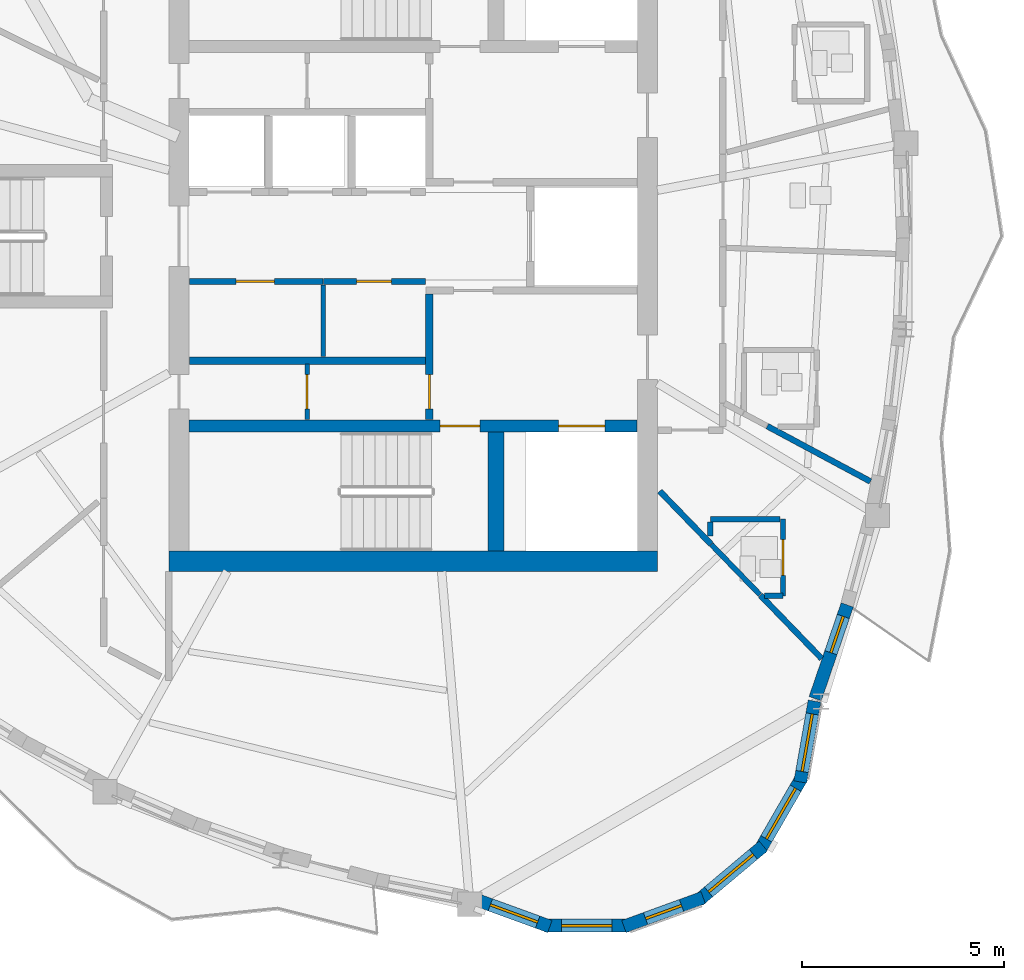
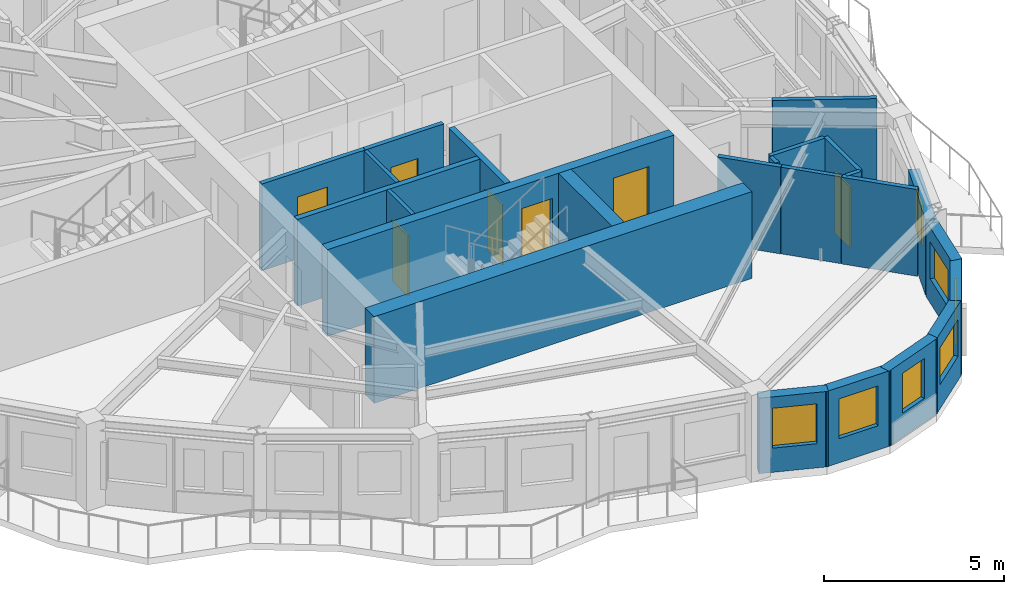
# One storey, part 6 of 14: 24 walls, 7 doors, 7 windows, 14 openings.
"""IFC4 building model written with IfcOpenShell, lengths in metres."""

from ifc_helpers import new_model, si_unit, direction, frame, frame_2d, origin, place, context, subcontext, project, spatial, rectangle, extrude, source, transform, mapped, material, layer, layer_set, type_object, element, fill, save


model = new_model("IFC4")

# Units and contexts
model_context = context("Model", 3, precision=1e-05, world=origin(), true_north=direction((0.0, 1.0)))
body_context = subcontext(model_context, "Body", "Model", "MODEL_VIEW")
ifc_project = project(units=[si_unit("LENGTHUNIT", "METRE"), si_unit("AREAUNIT", "SQUARE_METRE"), si_unit("VOLUMEUNIT", "CUBIC_METRE"), si_unit("PLANEANGLEUNIT", "RADIAN"), si_unit("MASSUNIT", "GRAM", prefix="KILO")], contexts=[model_context])

# Site, building, storey
site_placement = place(None, origin())
site = spatial("IfcSite", under=ifc_project, at=site_placement, CompositionType="ELEMENT")
building_placement = place(site_placement, origin())
building = spatial("IfcBuilding", under=site, at=building_placement, Name="Qafzar Sky-Pleat Residences", CompositionType="ELEMENT")
storey_placement = place(building_placement, frame((0.0, 0.0, 205.199951171875)))
storey = spatial("IfcBuildingStorey", under=building, at=storey_placement, Name="L61", CompositionType="ELEMENT", Elevation=205.199951171875)

# Wall, opening, door
ifc_material_1 = material(Name="Concrete blockwork partition", Category="masonry")
ifc_layer_1 = layer(ifc_material_1, 0.179931640625)
ifc_layer_set_1 = layer_set([ifc_layer_1], Name="Concrete blockwork partition")
wall_type_1 = type_object("IfcWallType", Name="PART-SHAFT-180", PredefinedType="PARTITIONING", material=ifc_layer_set_1)
wall_1_placement = place(storey_placement, frame((30.75, 21.4599609375, 0.0), z_axis=(0.0, 0.0, 1.0), x_axis=(0.0, 1.0, 0.0)))
wall_1 = element("IfcWall", 1, at=wall_1_placement, inside=storey, type_object=wall_type_1, Name="L61 Partition Wall PART-L61-FFL1-W", PredefinedType="PARTITIONING", context=body_context, shape_type="SweptSolid", body=[
    extrude(rectangle(XDim=3.110107421875, YDim=0.179931640625, at=frame_2d((1.55517578125, 0.0))), origin(), (0.0, 0.0, 1.0), 2.93505859375),
])
opening_1_placement = place(wall_1_placement, frame((0.260009765625, 0.0, 0.0)))
opening_1 = element("IfcOpeningElement", 2, at=opening_1_placement, cuts=wall_1, Name="Opening ID-09", PredefinedType="OPENING", context=body_context, shape_type="SweptSolid", body=[
    extrude(rectangle(XDim=0.860107421875, YDim=2.050048828125, at=frame_2d((0.43017578125, 1.02490234375))), frame((0.0, 0.10009765625, 0.0), z_axis=(0.0, -1.0, 0.0), x_axis=(1.0, 0.0, 0.0)), (0.0, 0.0, 1.0), 0.199951171875),
])
ifc_material_2 = material(Name="Timber-faced fire door", Category="wood")
door_type_1 = type_object("IfcDoorType", Name="DR-SVC-860", OperationType="NOTDEFINED", PredefinedType="DOOR", material=ifc_material_2)
shared_shape_1 = source(origin(), body_context, "Body", "SweptSolid", [
    extrude(rectangle(XDim=0.860107421875, YDim=2.050048828125, at=frame_2d((0.43017578125, 1.02490234375))), frame((0.0, 0.02490234375, 0.0), z_axis=(0.0, -1.0, 0.0), x_axis=(1.0, 0.0, 0.0)), (0.0, 0.0, 1.0), 0.050048828125),
])
door_1_placement = place(opening_1_placement, origin())
door_1 = element("IfcDoor", 3, at=door_1_placement, inside=storey, type_object=door_type_1, Name="L61 South Core Cupboard Door", OperationType="SINGLE_SWING_LEFT", OverallHeight=2.050048828125, OverallWidth=0.860107421875, PredefinedType="DOOR", context=body_context, shape_type="MappedRepresentation", body=[
    mapped(shared_shape_1, transform((0.0, 0.0, 0.0), x_axis=(1.0, 0.0, 0.0), y_axis=(0.0, 1.0, 0.0), z_axis=(0.0, 0.0, 1.0), scale=1.0)),
])
fill(opening_1, door_1)

# Walls
wall_2_placement = place(storey_placement, frame((24.81005859375, 22.919921875, 0.0), z_axis=(0.0, 0.0, 1.0), x_axis=(1.0, 0.0, 0.0)))
element("IfcWall", 4, at=wall_2_placement, inside=storey, type_object=wall_type_1, Name="L61 Partition Wall PART-L61-P13-S", PredefinedType="PARTITIONING", context=body_context, shape_type="SweptSolid", body=[
    extrude(rectangle(XDim=5.83984375, YDim=0.179931640625, at=frame_2d((2.919921875, 0.0))), origin(), (0.0, 0.0, 1.0), 2.93505859375),
])
ifc_material_3 = material(Name="Gypsum plasterboard partition", Category="gypsum")
ifc_layer_2 = layer(ifc_material_3, 0.114990234375)
ifc_layer_set_2 = layer_set([ifc_layer_2], Name="Gypsum plasterboard partition")
wall_type_2 = type_object("IfcWallType", Name="PART-SVC-115", PredefinedType="PARTITIONING", material=ifc_layer_set_2)
wall_3_placement = place(storey_placement, frame((28.125, 23.02001953125, 0.0), z_axis=(0.0, 0.0, 1.0), x_axis=(0.0, 1.0, 0.0)))
element("IfcWall", 5, at=wall_3_placement, inside=storey, type_object=wall_type_2, Name="L61 Partition Wall PART-L61-RECLAIM-DIV", PredefinedType="PARTITIONING", context=body_context, shape_type="SweptSolid", body=[
    extrude(rectangle(XDim=1.77001953125, YDim=0.114990234375, at=frame_2d((0.885009765625, 0.0))), origin(), (0.0, 0.0, 1.0), 2.93505859375),
])

# Wall, opening, door
wall_4_placement = place(storey_placement, frame((27.72509765625, 21.4599609375, 0.0), z_axis=(0.0, 0.0, 1.0), x_axis=(0.0, 1.0, 0.0)))
wall_4 = element("IfcWall", 6, at=wall_4_placement, inside=storey, type_object=wall_type_2, Name="L61 Partition Wall PART-L61-KB-SW", PredefinedType="PARTITIONING", context=body_context, shape_type="SweptSolid", body=[
    extrude(rectangle(XDim=1.380126953125, YDim=0.114990234375, at=frame_2d((0.68994140625, 0.0))), origin(), (0.0, 0.0, 1.0), 2.93505859375),
])
opening_2_placement = place(wall_4_placement, frame((0.260009765625, 0.0, 0.0)))
opening_2 = element("IfcOpeningElement", 7, at=opening_2_placement, cuts=wall_4, Name="Opening ID-09", PredefinedType="OPENING", context=body_context, shape_type="SweptSolid", body=[
    extrude(rectangle(XDim=0.860107421875, YDim=2.050048828125, at=frame_2d((0.43017578125, 1.02490234375))), frame((0.0, 0.0673828125, 0.0), z_axis=(0.0, -1.0, 0.0), x_axis=(1.0, 0.0, 0.0)), (0.0, 0.0, 1.0), 0.135009765625),
])
door_2_placement = place(opening_2_placement, origin())
door_2 = element("IfcDoor", 8, at=door_2_placement, inside=storey, type_object=door_type_1, Name="L61 BMS Metering Cupboard Door", OperationType="SINGLE_SWING_LEFT", OverallHeight=2.050048828125, OverallWidth=0.860107421875, PredefinedType="DOOR", context=body_context, shape_type="MappedRepresentation", body=[
    mapped(shared_shape_1, transform((0.0, 0.0, 0.0), x_axis=(1.0, 0.0, 0.0), y_axis=(0.0, 1.0, 0.0), z_axis=(0.0, 0.0, 1.0), scale=1.0)),
])
fill(opening_2, door_2)

ifc_material_4 = material(Name="Acoustic gypsum plasterboard partition", Category="gypsum")
ifc_layer_3 = layer(ifc_material_4, 0.14501953125)
ifc_layer_set_3 = layer_set([ifc_layer_3], Name="Acoustic gypsum plasterboard partition")
wall_type_3 = type_object("IfcWallType", Name="PART-UNIT-145", PredefinedType="PARTITIONING", material=ifc_layer_set_3)
wall_5_placement = place(storey_placement, frame((24.81005859375, 24.8798828125, 0.0), z_axis=(0.0, 0.0, 1.0), x_axis=(1.0, 0.0, 0.0)))
wall_5 = element("IfcWall", 9, at=wall_5_placement, inside=storey, type_object=wall_type_3, Name="L61 Partition Wall PART-L61-RECLAIM-N1", PredefinedType="PARTITIONING", context=body_context, shape_type="SweptSolid", body=[
    extrude(rectangle(XDim=3.31005859375, YDim=0.14501953125, at=frame_2d((1.655029296875, 0.0))), origin(), (0.0, 0.0, 1.0), 2.93505859375),
])
opening_3_placement = place(wall_5_placement, frame((1.14990234375, 0.0, 0.0)))
opening_3 = element("IfcOpeningElement", 10, at=opening_3_placement, cuts=wall_5, Name="Opening ID-06", PredefinedType="OPENING", context=body_context, shape_type="SweptSolid", body=[
    extrude(rectangle(XDim=0.9599609375, YDim=2.10009765625, at=frame_2d((0.47998046875, 1.050048828125))), frame((0.0, 0.08251953125, 0.0), z_axis=(0.0, -1.0, 0.0), x_axis=(1.0, 0.0, 0.0)), (0.0, 0.0, 1.0), 0.1650390625),
])
door_type_2 = type_object("IfcDoorType", Name="DR-STD-960", OperationType="NOTDEFINED", PredefinedType="DOOR", material=ifc_material_2)
shared_shape_2 = source(origin(), body_context, "Body", "SweptSolid", [
    extrude(rectangle(XDim=0.9599609375, YDim=2.10009765625, at=frame_2d((0.47998046875, 1.050048828125))), frame((0.0, 0.02490234375, 0.0), z_axis=(0.0, -1.0, 0.0), x_axis=(1.0, 0.0, 0.0)), (0.0, 0.0, 1.0), 0.050048828125),
])
door_3_placement = place(opening_3_placement, origin())
door_3 = element("IfcDoor", 11, at=door_3_placement, inside=storey, type_object=door_type_2, Name="L61 Reclaimed Quiet Study Room Door", OperationType="SINGLE_SWING_LEFT", OverallHeight=2.10009765625, OverallWidth=0.9599609375, PredefinedType="DOOR", context=body_context, shape_type="MappedRepresentation", body=[
    mapped(shared_shape_2, transform((0.0, 0.0, 0.0), x_axis=(1.0, 0.0, 0.0), y_axis=(0.0, 1.0, 0.0), z_axis=(0.0, 0.0, 1.0), scale=1.0)),
])
fill(opening_3, door_3)

wall_6_placement = place(storey_placement, frame((28.1298828125, 24.8798828125, 0.0), z_axis=(0.0, 0.0, 1.0), x_axis=(1.0, 0.0, 0.0)))
wall_6 = element("IfcWall", 12, at=wall_6_placement, inside=storey, type_object=wall_type_3, Name="L61 Partition Wall PART-L61-RECLAIM-N2", PredefinedType="PARTITIONING", context=body_context, shape_type="SweptSolid", body=[
    extrude(rectangle(XDim=2.52001953125, YDim=0.14501953125, at=frame_2d((1.260009765625, 0.0))), origin(), (0.0, 0.0, 1.0), 2.93505859375),
])
opening_4_placement = place(wall_6_placement, frame((0.820068359375, 0.0, 0.0)))
opening_4 = element("IfcOpeningElement", 13, at=opening_4_placement, cuts=wall_6, Name="Opening ID-09", PredefinedType="OPENING", context=body_context, shape_type="SweptSolid", body=[
    extrude(rectangle(XDim=0.860107421875, YDim=2.050048828125, at=frame_2d((0.43017578125, 1.02490234375))), frame((0.0, 0.08251953125, 0.0), z_axis=(0.0, -1.0, 0.0), x_axis=(1.0, 0.0, 0.0)), (0.0, 0.0, 1.0), 0.1650390625),
])
door_4_placement = place(opening_4_placement, origin())
door_4 = element("IfcDoor", 14, at=door_4_placement, inside=storey, type_object=door_type_1, Name="L61 Reclaimed Linen Cupboard Door", OperationType="SINGLE_SWING_RIGHT", OverallHeight=2.050048828125, OverallWidth=0.860107421875, PredefinedType="DOOR", context=body_context, shape_type="MappedRepresentation", body=[
    mapped(shared_shape_1, transform((0.0, 0.0, 0.0), x_axis=(1.0, 0.0, 0.0), y_axis=(0.0, 1.0, 0.0), z_axis=(0.0, 0.0, 1.0), scale=1.0)),
])
fill(opening_4, door_4)

# Walls
wall_7_placement = place(storey_placement, frame((39.1220703125, 21.297119140625, 0.0), z_axis=(0.0, 0.0, 1.0), x_axis=(0.881308328415, -0.472541670402, 0.0)))
element("IfcWall", 15, at=wall_7_placement, inside=storey, type_object=wall_type_3, Name="L61 Partition Wall PART-L61-PW-028", PredefinedType="PARTITIONING", context=body_context, shape_type="SweptSolid", body=[
    extrude(rectangle(XDim=2.89794921875, YDim=0.14501953125, at=frame_2d((1.448974609375, 0.0))), origin(), (0.0, 0.0, 1.0), 2.93505859375),
])
wall_8_placement = place(storey_placement, frame((38.950927734375, 17.10888671875, 0.0), z_axis=(0.0, 0.0, 1.0), x_axis=(0.695195716836, -0.718820502833, 0.0)))
element("IfcWall", 16, at=wall_8_placement, inside=storey, type_object=wall_type_3, Name="L61 Partition Wall PART-L61-PW-031", PredefinedType="PARTITIONING", context=body_context, shape_type="SweptSolid", body=[
    extrude(rectangle(XDim=2.180419921875, YDim=0.14501953125, at=frame_2d((1.09033203125, 0.0))), origin(), (0.0, 0.0, 1.0), 2.93505859375),
])
wall_9_placement = place(storey_placement, frame((36.457763671875, 19.686279296875, 0.0), z_axis=(0.0, 0.0, 1.0), x_axis=(0.695231916786, -0.718785490868, 0.0)))
element("IfcWall", 17, at=wall_9_placement, inside=storey, type_object=wall_type_3, Name="L61 Partition Wall PART-L61-PW-032", PredefinedType="PARTITIONING", context=body_context, shape_type="SweptSolid", body=[
    extrude(rectangle(XDim=1.82421875, YDim=0.14501953125, at=frame_2d((0.912109375, 0.0))), origin(), (0.0, 0.0, 1.0), 2.93505859375),
])

# Wall, opening, door
ifc_material_5 = material(Name="Moisture-resistant gypsum partition", Category="gypsum")
ifc_layer_4 = layer(ifc_material_5, 0.1298828125)
ifc_layer_set_4 = layer_set([ifc_layer_4], Name="Moisture-resistant gypsum partition")
wall_type_4 = type_object("IfcWallType", Name="PART-WET-130", PredefinedType="PARTITIONING", material=ifc_layer_set_4)
wall_10_placement = place(storey_placement, frame((39.510986328125, 17.093994140625, 0.0), z_axis=(0.0, 0.0, 1.0), x_axis=(0.0, 1.0, 0.0)))
wall_10 = element("IfcWall", 18, at=wall_10_placement, inside=storey, type_object=wall_type_4, Name="L61 Partition Wall PART-L61-PW-013", PredefinedType="PARTITIONING", context=body_context, shape_type="SweptSolid", body=[
    extrude(rectangle(XDim=1.89990234375, YDim=0.1298828125, at=frame_2d((0.949951171875, 0.0))), origin(), (0.0, 0.0, 1.0), 2.93505859375),
])
opening_5_placement = place(wall_10_placement, frame((0.510009765625, 0.0, 0.0)))
opening_5 = element("IfcOpeningElement", 19, at=opening_5_placement, cuts=wall_10, Name="Opening ID-07", PredefinedType="OPENING", context=body_context, shape_type="SweptSolid", body=[
    extrude(rectangle(XDim=0.8798828125, YDim=2.050048828125, at=frame_2d((0.43994140625, 1.02490234375))), frame((0.0, 0.074951171875, 0.0), z_axis=(0.0, -1.0, 0.0), x_axis=(1.0, 0.0, 0.0)), (0.0, 0.0, 1.0), 0.14990234375),
])
door_type_3 = type_object("IfcDoorType", Name="DR-WET-880", OperationType="NOTDEFINED", PredefinedType="DOOR", material=ifc_material_2)
shared_shape_3 = source(origin(), body_context, "Body", "SweptSolid", [
    extrude(rectangle(XDim=0.8798828125, YDim=2.050048828125, at=frame_2d((0.43994140625, 1.02490234375))), frame((0.0, 0.02490234375, 0.0), z_axis=(0.0, -1.0, 0.0), x_axis=(1.0, 0.0, 0.0)), (0.0, 0.0, 1.0), 0.050048828125),
])
door_5_placement = place(opening_5_placement, origin())
door_5 = element("IfcDoor", 20, at=door_5_placement, inside=storey, type_object=door_type_3, Name="L61 En-suite Bathroom 1 Door", OperationType="SINGLE_SWING_LEFT", OverallHeight=2.050048828125, OverallWidth=0.8798828125, PredefinedType="DOOR", context=body_context, shape_type="MappedRepresentation", body=[
    mapped(shared_shape_3, transform((0.0, 0.0, 0.0), x_axis=(1.0, 0.0, 0.0), y_axis=(0.0, 1.0, 0.0), z_axis=(0.0, 0.0, 1.0), scale=1.0)),
])
fill(opening_5, door_5)

# Walls
wall_11_placement = place(storey_placement, frame((37.7109375, 18.993896484375, 0.0), z_axis=(0.0, 0.0, 1.0), x_axis=(1.0, 0.0, 0.0)))
element("IfcWall", 21, at=wall_11_placement, inside=storey, type_object=wall_type_4, Name="L61 Partition Wall PART-L61-PW-034", PredefinedType="PARTITIONING", context=body_context, shape_type="SweptSolid", body=[
    extrude(rectangle(XDim=1.72705078125, YDim=0.1298828125, at=frame_2d((0.863525390625, 0.0))), origin(), (0.0, 0.0, 1.0), 2.93505859375),
])
wall_12_placement = place(storey_placement, frame((37.736328125, 18.3642578125, 0.0), z_axis=(0.0, 0.0, 1.0), x_axis=(0.695451956037, -0.718572596781, 0.0)))
element("IfcWall", 22, at=wall_12_placement, inside=storey, type_object=wall_type_4, Name="L61 Partition Wall PART-L61-PW-038", PredefinedType="PARTITIONING", context=body_context, shape_type="SweptSolid", body=[
    extrude(rectangle(XDim=1.731689453125, YDim=0.1298828125, at=frame_2d((0.86572265625, 0.0))), origin(), (0.0, 0.0, 1.0), 2.93505859375),
])
wall_13_placement = place(storey_placement, frame((37.7109375, 18.570556640625, 0.0), z_axis=(0.0, 0.0, 1.0), x_axis=(0.0, 1.0, 0.0)))
element("IfcWall", 23, at=wall_13_placement, inside=storey, type_object=wall_type_4, Name="L61 Partition Wall PART-L61-PW-055", PredefinedType="PARTITIONING", context=body_context, shape_type="SweptSolid", body=[
    extrude(rectangle(XDim=0.350341796875, YDim=0.1298828125, at=frame_2d((0.17529296875, 0.0))), origin(), (0.0, 0.0, 1.0), 2.93505859375),
])
wall_14_placement = place(storey_placement, frame((39.055908203125, 17.093994140625, 0.0), z_axis=(0.0, 0.0, 1.0), x_axis=(1.0, 0.0, 0.0)))
element("IfcWall", 24, at=wall_14_placement, inside=storey, type_object=wall_type_4, Name="L61 Partition Wall PART-L61-PW-057", PredefinedType="PARTITIONING", context=body_context, shape_type="SweptSolid", body=[
    extrude(rectangle(XDim=0.455078125, YDim=0.1298828125, at=frame_2d((0.2275390625, 0.0))), origin(), (0.0, 0.0, 1.0), 2.93505859375),
])

# Wall, opening, window
ifc_material_6 = material(Name="Precast concrete C40/50 with honed Riyadh limestone", Category="concrete")
ifc_layer_5 = layer(ifc_material_6, 0.320068359375)
ifc_layer_set_5 = layer_set([ifc_layer_5], Name="Precast concrete C40/50 with honed Riyadh limestone")
wall_type_5 = type_object("IfcWallType", Name="WALL-EXT-320", PredefinedType="SOLIDWALL", material=ifc_layer_set_5)
wall_15_placement = place(storey_placement, frame((31.891845703125, 9.57421875, 0.0), z_axis=(0.0, 0.0, 1.0), x_axis=(0.939680751434, -0.342052752343, 0.0)))
wall_15 = element("IfcWall", 25, at=wall_15_placement, inside=storey, type_object=wall_type_5, Name="L61 Limestone Facade Wall 17", PredefinedType="SOLIDWALL", context=body_context, shape_type="SweptSolid", body=[
    extrude(rectangle(XDim=1.962158203125, YDim=0.320068359375, at=frame_2d((0.98095703125, 0.0))), origin(), (0.0, 0.0, 1.0), 2.554931640625),
])
opening_6_placement = place(wall_15_placement, frame((0.39111328125, 0.0, 0.820068359375)))
opening_6 = element("IfcOpeningElement", 26, at=opening_6_placement, cuts=wall_15, Name="Opening WN-11", PredefinedType="OPENING", context=body_context, shape_type="SweptSolid", body=[
    extrude(rectangle(XDim=1.25, YDim=1.35009765625, at=frame_2d((0.625, 0.675048828125))), frame((0.0, 0.169921875, 0.0), z_axis=(0.0, -1.0, 0.0), x_axis=(1.0, 0.0, 0.0)), (0.0, 0.0, 1.0), 0.340087890625),
])
ifc_material_7 = material(Name="Solar-control low-E glass in bronze aluminium frame", Category="glass")
window_type_1 = type_object("IfcWindowType", Name="WIN-11", PartitioningType="SINGLE_PANEL", PredefinedType="WINDOW", material=ifc_material_7)
shared_shape_4 = source(origin(), body_context, "Body", "SweptSolid", [
    extrude(rectangle(XDim=1.25, YDim=1.35009765625, at=frame_2d((0.625, 0.675048828125))), frame((0.0, 0.030029296875, 0.0), z_axis=(0.0, -1.0, 0.0), x_axis=(1.0, 0.0, 0.0)), (0.0, 0.0, 1.0), 0.06005859375),
])
window_1_placement = place(opening_6_placement, origin())
window_1 = element("IfcWindow", 27, at=window_1_placement, inside=storey, type_object=window_type_1, Name="L61 Punched Facade Window 17", OverallHeight=1.35009765625, OverallWidth=1.25, PartitioningType="SINGLE_PANEL", PredefinedType="WINDOW", context=body_context, shape_type="MappedRepresentation", body=[
    mapped(shared_shape_4, transform((0.0, 0.0, 0.0), x_axis=(1.0, 0.0, 0.0), y_axis=(0.0, 1.0, 0.0), z_axis=(0.0, 0.0, 1.0), scale=1.0)),
])
fill(opening_6, window_1)

wall_16_placement = place(storey_placement, frame((33.607421875, 8.925537109375, 0.0), z_axis=(0.0, 0.0, 1.0), x_axis=(1.0, 0.0, 0.0)))
wall_16 = element("IfcWall", 28, at=wall_16_placement, inside=storey, type_object=wall_type_5, Name="L61 Limestone Facade Wall 18", PredefinedType="SOLIDWALL", context=body_context, shape_type="SweptSolid", body=[
    extrude(rectangle(XDim=2.09033203125, YDim=0.320068359375, at=frame_2d((1.045166015625, 0.0))), origin(), (0.0, 0.0, 1.0), 2.554931640625),
])
opening_7_placement = place(wall_16_placement, frame((0.420166015625, 0.0, 0.820068359375)))
opening_7 = element("IfcOpeningElement", 29, at=opening_7_placement, cuts=wall_16, Name="Opening WN-11", PredefinedType="OPENING", context=body_context, shape_type="SweptSolid", body=[
    extrude(rectangle(XDim=1.25, YDim=1.35009765625, at=frame_2d((0.625, 0.675048828125))), frame((0.0, 0.169921875, 0.0), z_axis=(0.0, -1.0, 0.0), x_axis=(1.0, 0.0, 0.0)), (0.0, 0.0, 1.0), 0.340087890625),
])
window_2_placement = place(opening_7_placement, origin())
window_2 = element("IfcWindow", 30, at=window_2_placement, inside=storey, type_object=window_type_1, Name="L61 Punched Facade Window 18", OverallHeight=1.35009765625, OverallWidth=1.25, PartitioningType="SINGLE_PANEL", PredefinedType="WINDOW", context=body_context, shape_type="MappedRepresentation", body=[
    mapped(shared_shape_4, transform((0.0, 0.0, 0.0), x_axis=(1.0, 0.0, 0.0), y_axis=(0.0, 1.0, 0.0), z_axis=(0.0, 0.0, 1.0), scale=1.0)),
])
fill(opening_7, window_2)

wall_17_placement = place(storey_placement, frame((35.5693359375, 8.903076171875, 0.0), z_axis=(0.0, 0.0, 1.0), x_axis=(0.939697896412, 0.342005648315, 0.0)))
wall_17 = element("IfcWall", 31, at=wall_17_placement, inside=storey, type_object=wall_type_5, Name="L61 Limestone Facade Wall 19", PredefinedType="SOLIDWALL", context=body_context, shape_type="SweptSolid", body=[
    extrude(rectangle(XDim=2.090087890625, YDim=0.320068359375, at=frame_2d((1.044921875, 0.0))), origin(), (0.0, 0.0, 1.0), 2.554931640625),
])
opening_8_placement = place(wall_17_placement, frame((0.5703125, 0.0, 0.820068359375)))
opening_8 = element("IfcOpeningElement", 32, at=opening_8_placement, cuts=wall_17, Name="Opening WN-12", PredefinedType="OPENING", context=body_context, shape_type="SweptSolid", body=[
    extrude(rectangle(XDim=0.949951171875, YDim=1.35009765625, at=frame_2d((0.47509765625, 0.675048828125))), frame((0.0, 0.169921875, 0.0), z_axis=(0.0, -1.0, 0.0), x_axis=(1.0, 0.0, 0.0)), (0.0, 0.0, 1.0), 0.340087890625),
])
window_type_2 = type_object("IfcWindowType", Name="WIN-12", PartitioningType="SINGLE_PANEL", PredefinedType="WINDOW", material=ifc_material_7)
shared_shape_5 = source(origin(), body_context, "Body", "SweptSolid", [
    extrude(rectangle(XDim=0.949951171875, YDim=1.35009765625, at=frame_2d((0.47509765625, 0.675048828125))), frame((0.0, 0.030029296875, 0.0), z_axis=(0.0, -1.0, 0.0), x_axis=(1.0, 0.0, 0.0)), (0.0, 0.0, 1.0), 0.06005859375),
])
window_3_placement = place(opening_8_placement, origin())
window_3 = element("IfcWindow", 33, at=window_3_placement, inside=storey, type_object=window_type_2, Name="L61 Punched Facade Window 19", OverallHeight=1.35009765625, OverallWidth=0.949951171875, PartitioningType="SINGLE_PANEL", PredefinedType="WINDOW", context=body_context, shape_type="MappedRepresentation", body=[
    mapped(shared_shape_5, transform((0.0, 0.0, 0.0), x_axis=(1.0, 0.0, 0.0), y_axis=(0.0, 1.0, 0.0), z_axis=(0.0, 0.0, 1.0), scale=1.0)),
])
fill(opening_8, window_3)

wall_18_placement = place(storey_placement, frame((37.42041015625, 9.552734375, 0.0), z_axis=(0.0, 0.0, 1.0), x_axis=(0.766072824549, 0.642753784499, 0.0)))
wall_18 = element("IfcWall", 34, at=wall_18_placement, inside=storey, type_object=wall_type_5, Name="L61 Limestone Facade Wall 20", PredefinedType="SOLIDWALL", context=body_context, shape_type="SweptSolid", body=[
    extrude(rectangle(XDim=2.090576171875, YDim=0.320068359375, at=frame_2d((1.04541015625, 0.0))), origin(), (0.0, 0.0, 1.0), 2.554931640625),
])
opening_9_placement = place(wall_18_placement, frame((0.3203125, 0.0, 0.820068359375)))
opening_9 = element("IfcOpeningElement", 35, at=opening_9_placement, cuts=wall_18, Name="Opening WN-15", PredefinedType="OPENING", context=body_context, shape_type="SweptSolid", body=[
    extrude(rectangle(XDim=1.449951171875, YDim=1.25, at=frame_2d((0.72509765625, 0.625))), frame((0.0, 0.169921875, 0.0), z_axis=(0.0, -1.0, 0.0), x_axis=(1.0, 0.0, 0.0)), (0.0, 0.0, 1.0), 0.340087890625),
])
window_type_3 = type_object("IfcWindowType", Name="WIN-15", PartitioningType="SINGLE_PANEL", PredefinedType="WINDOW", material=ifc_material_7)
shared_shape_6 = source(origin(), body_context, "Body", "SweptSolid", [
    extrude(rectangle(XDim=1.449951171875, YDim=1.25, at=frame_2d((0.72509765625, 0.625))), frame((0.0, 0.030029296875, 0.0), z_axis=(0.0, -1.0, 0.0), x_axis=(1.0, 0.0, 0.0)), (0.0, 0.0, 1.0), 0.06005859375),
])
window_4_placement = place(opening_9_placement, origin())
window_4 = element("IfcWindow", 36, at=window_4_placement, inside=storey, type_object=window_type_3, Name="L61 Punched Facade Window 20", OverallHeight=1.25, OverallWidth=1.449951171875, PartitioningType="SINGLE_PANEL", PredefinedType="WINDOW", context=body_context, shape_type="MappedRepresentation", body=[
    mapped(shared_shape_6, transform((0.0, 0.0, 0.0), x_axis=(1.0, 0.0, 0.0), y_axis=(0.0, 1.0, 0.0), z_axis=(0.0, 0.0, 1.0), scale=1.0)),
])
fill(opening_9, window_4)

wall_19_placement = place(storey_placement, frame((38.93798828125, 10.79638671875, 0.0), z_axis=(0.0, 0.0, 1.0), x_axis=(0.499995423472, 0.866028046028, 0.0)))
wall_19 = element("IfcWall", 37, at=wall_19_placement, inside=storey, type_object=wall_type_5, Name="L61 Limestone Facade Wall 21", PredefinedType="SOLIDWALL", context=body_context, shape_type="SweptSolid", body=[
    extrude(rectangle(XDim=2.09033203125, YDim=0.320068359375, at=frame_2d((1.045166015625, 0.0))), origin(), (0.0, 0.0, 1.0), 2.554931640625),
])
opening_10_placement = place(wall_19_placement, frame((0.320068359375, 0.0, 0.820068359375)))
opening_10 = element("IfcOpeningElement", 38, at=opening_10_placement, cuts=wall_19, Name="Opening WN-15", PredefinedType="OPENING", context=body_context, shape_type="SweptSolid", body=[
    extrude(rectangle(XDim=1.449951171875, YDim=1.25, at=frame_2d((0.72509765625, 0.625))), frame((0.0, 0.169921875, 0.0), z_axis=(0.0, -1.0, 0.0), x_axis=(1.0, 0.0, 0.0)), (0.0, 0.0, 1.0), 0.340087890625),
])
window_5_placement = place(opening_10_placement, origin())
window_5 = element("IfcWindow", 39, at=window_5_placement, inside=storey, type_object=window_type_3, Name="L61 Punched Facade Window 21", OverallHeight=1.25, OverallWidth=1.449951171875, PartitioningType="SINGLE_PANEL", PredefinedType="WINDOW", context=body_context, shape_type="MappedRepresentation", body=[
    mapped(shared_shape_6, transform((0.0, 0.0, 0.0), x_axis=(1.0, 0.0, 0.0), y_axis=(0.0, 1.0, 0.0), z_axis=(0.0, 0.0, 1.0), scale=1.0)),
])
fill(opening_10, window_5)

wall_20_placement = place(storey_placement, frame((39.9384765625, 12.484130859375, 0.0), z_axis=(0.0, 0.0, 1.0), x_axis=(0.17370309897, 0.984798067326, 0.0)))
wall_20 = element("IfcWall", 40, at=wall_20_placement, inside=storey, type_object=wall_type_5, Name="L61 Limestone Facade Wall 22", PredefinedType="SOLIDWALL", context=body_context, shape_type="SweptSolid", body=[
    extrude(rectangle(XDim=2.032470703125, YDim=0.320068359375, at=frame_2d((1.01611328125, 0.0))), origin(), (0.0, 0.0, 1.0), 2.554931640625),
])
opening_11_placement = place(wall_20_placement, frame((0.26123046875, 0.0, 0.820068359375)))
opening_11 = element("IfcOpeningElement", 41, at=opening_11_placement, cuts=wall_20, Name="Opening WN-15", PredefinedType="OPENING", context=body_context, shape_type="SweptSolid", body=[
    extrude(rectangle(XDim=1.449951171875, YDim=1.25, at=frame_2d((0.72509765625, 0.625))), frame((0.0, 0.169921875, 0.0), z_axis=(0.0, -1.0, 0.0), x_axis=(1.0, 0.0, 0.0)), (0.0, 0.0, 1.0), 0.340087890625),
])
window_6_placement = place(opening_11_placement, origin())
window_6 = element("IfcWindow", 42, at=window_6_placement, inside=storey, type_object=window_type_3, Name="L61 Punched Facade Window 22", OverallHeight=1.25, OverallWidth=1.449951171875, PartitioningType="SINGLE_PANEL", PredefinedType="WINDOW", context=body_context, shape_type="MappedRepresentation", body=[
    mapped(shared_shape_6, transform((0.0, 0.0, 0.0), x_axis=(1.0, 0.0, 0.0), y_axis=(0.0, 1.0, 0.0), z_axis=(0.0, 0.0, 1.0), scale=1.0)),
])
fill(opening_11, window_6)

wall_21_placement = place(storey_placement, frame((40.3076171875, 14.548095703125, 0.0), z_axis=(0.0, 0.0, 1.0), x_axis=(0.323591564922, 0.946196860654, 0.0)))
wall_21 = element("IfcWall", 43, at=wall_21_placement, inside=storey, type_object=wall_type_5, Name="L61 Limestone Facade Wall 23", PredefinedType="SOLIDWALL", context=body_context, shape_type="SweptSolid", body=[
    extrude(rectangle(XDim=2.45361328125, YDim=0.320068359375, at=frame_2d((1.226806640625, 0.0))), origin(), (0.0, 0.0, 1.0), 2.554931640625),
])
opening_12_placement = place(wall_21_placement, frame((1.202392578125, 0.0, 0.820068359375)))
opening_12 = element("IfcOpeningElement", 44, at=opening_12_placement, cuts=wall_21, Name="Opening WN-12", PredefinedType="OPENING", context=body_context, shape_type="SweptSolid", body=[
    extrude(rectangle(XDim=0.949951171875, YDim=1.35009765625, at=frame_2d((0.47509765625, 0.675048828125))), frame((0.0, 0.169921875, 0.0), z_axis=(0.0, -1.0, 0.0), x_axis=(1.0, 0.0, 0.0)), (0.0, 0.0, 1.0), 0.340087890625),
])
window_7_placement = place(opening_12_placement, origin())
window_7 = element("IfcWindow", 45, at=window_7_placement, inside=storey, type_object=window_type_2, Name="L61 Punched Facade Window 23-2", OverallHeight=1.35009765625, OverallWidth=0.949951171875, PartitioningType="SINGLE_PANEL", PredefinedType="WINDOW", context=body_context, shape_type="MappedRepresentation", body=[
    mapped(shared_shape_5, transform((0.0, 0.0, 0.0), x_axis=(1.0, 0.0, 0.0), y_axis=(0.0, 1.0, 0.0), z_axis=(0.0, 0.0, 1.0), scale=1.0)),
])
fill(opening_12, window_7)

# Wall, openings, doors
ifc_material_8 = material(Name="Concrete C60/75", Category="concrete")
ifc_layer_6 = layer(ifc_material_8, 0.300048828125)
ifc_layer_set_6 = layer_set([ifc_layer_6], Name="Concrete C60/75")
wall_type_6 = type_object("IfcWallType", Name="WALL-SHEAR-300", PredefinedType="SHEAR", material=ifc_layer_set_6)
wall_22_placement = place(storey_placement, frame((24.800048828125, 21.300048828125, 0.0), z_axis=(0.0, 0.0, 1.0), x_axis=(1.0, 0.0, 0.0)))
wall_22 = element("IfcWall", 46, at=wall_22_placement, inside=storey, type_object=wall_type_6, Name="L61 Stair ST1 and FF1 Shaft North Wall", PredefinedType="SHEAR", context=body_context, shape_type="SweptSolid", body=[
    extrude(rectangle(XDim=11.099853515625, YDim=0.300048828125, at=frame_2d((5.5498046875, 0.0))), origin(), (0.0, 0.0, 1.0), 2.93505859375),
])
opening_13_placement = place(wall_22_placement, frame((6.219970703125, 0.0, 0.0)))
opening_13 = element("IfcOpeningElement", 47, at=opening_13_placement, cuts=wall_22, Name="Opening ID-01", PredefinedType="OPENING", context=body_context, shape_type="SweptSolid", body=[
    extrude(rectangle(XDim=0.97998046875, YDim=2.14990234375, at=frame_2d((0.489990234375, 1.074951171875))), frame((0.0, 0.16015625, 0.0), z_axis=(0.0, -1.0, 0.0), x_axis=(1.0, 0.0, 0.0)), (0.0, 0.0, 1.0), 0.320068359375),
])
opening_14_placement = place(wall_22_placement, frame((9.14990234375, 0.0, 0.0)))
opening_14 = element("IfcOpeningElement", 48, at=opening_14_placement, cuts=wall_22, Name="Opening LD-02", PredefinedType="OPENING", context=body_context, shape_type="SweptSolid", body=[
    extrude(rectangle(XDim=1.14990234375, YDim=2.14990234375, at=frame_2d((0.574951171875, 1.074951171875))), frame((0.0, 0.16015625, 0.0), z_axis=(0.0, -1.0, 0.0), x_axis=(1.0, 0.0, 0.0)), (0.0, 0.0, 1.0), 0.320068359375),
])
door_type_4 = type_object("IfcDoorType", Name="DR-STAIR-980", OperationType="NOTDEFINED", PredefinedType="DOOR", material=ifc_material_2)
shared_shape_7 = source(origin(), body_context, "Body", "SweptSolid", [
    extrude(rectangle(XDim=0.97998046875, YDim=2.14990234375, at=frame_2d((0.489990234375, 1.074951171875))), frame((0.0, 0.02490234375, 0.0), z_axis=(0.0, -1.0, 0.0), x_axis=(1.0, 0.0, 0.0)), (0.0, 0.0, 1.0), 0.050048828125),
])
door_6_placement = place(opening_13_placement, origin())
door_6 = element("IfcDoor", 49, at=door_6_placement, inside=storey, type_object=door_type_4, Name="L61 Stair ST1 Fire Door", OperationType="SINGLE_SWING_RIGHT", OverallHeight=2.14990234375, OverallWidth=0.97998046875, PredefinedType="DOOR", context=body_context, shape_type="MappedRepresentation", body=[
    mapped(shared_shape_7, transform((0.0, 0.0, 0.0), x_axis=(1.0, 0.0, 0.0), y_axis=(0.0, 1.0, 0.0), z_axis=(0.0, 0.0, 1.0), scale=1.0)),
])
fill(opening_13, door_6)
ifc_material_9 = material(Name="Stainless steel sliding landing door", Category="steel")
door_type_5 = type_object("IfcDoorType", Name="DR-LIFT-FF", OperationType="DOUBLE_DOOR_SLIDING", PredefinedType="DOOR", material=ifc_material_9)
shared_shape_8 = source(origin(), body_context, "Body", "SweptSolid", [
    extrude(rectangle(XDim=1.14990234375, YDim=2.14990234375, at=frame_2d((0.574951171875, 1.074951171875))), frame((0.0, 0.02490234375, 0.0), z_axis=(0.0, -1.0, 0.0), x_axis=(1.0, 0.0, 0.0)), (0.0, 0.0, 1.0), 0.050048828125),
])
door_7_placement = place(opening_14_placement, origin())
door_7 = element("IfcDoor", 50, at=door_7_placement, inside=storey, type_object=door_type_5, Name="L61 Firefighting Lift FF1 Landing Door", OperationType="DOUBLE_DOOR_SLIDING", OverallHeight=2.14990234375, OverallWidth=1.14990234375, PredefinedType="DOOR", context=body_context, shape_type="MappedRepresentation", body=[
    mapped(shared_shape_8, transform((0.0, 0.0, 0.0), x_axis=(1.0, 0.0, 0.0), y_axis=(0.0, 1.0, 0.0), z_axis=(0.0, 0.0, 1.0), scale=1.0)),
])
fill(opening_14, door_7)

# Walls
ifc_layer_7 = layer(ifc_material_8, 0.39990234375)
ifc_layer_set_7 = layer_set([ifc_layer_7], Name="Concrete C60/75")
wall_type_7 = type_object("IfcWallType", Name="WALL-SHEAR-400", PredefinedType="SHEAR", material=ifc_layer_set_7)
wall_23_placement = place(storey_placement, frame((32.39990234375, 18.199951171875, 0.0), z_axis=(0.0, 0.0, 1.0), x_axis=(0.0, 1.0, 0.0)))
element("IfcWall", 51, at=wall_23_placement, inside=storey, type_object=wall_type_7, Name="L61 Stair ST1 East Dividing Wall", PredefinedType="SHEAR", context=body_context, shape_type="SweptSolid", body=[
    extrude(rectangle(XDim=2.949951171875, YDim=0.39990234375, at=frame_2d((1.47509765625, 0.0))), origin(), (0.0, 0.0, 1.0), 2.93505859375),
])
ifc_layer_8 = layer(ifc_material_8, 0.5)
ifc_layer_set_8 = layer_set([ifc_layer_8], Name="Concrete C60/75")
wall_type_8 = type_object("IfcWallType", Name="WALL-SHEAR-500", PredefinedType="SHEAR", material=ifc_layer_set_8)
wall_24_placement = place(storey_placement, frame((24.300048828125, 17.949951171875, 0.0), z_axis=(0.0, 0.0, 1.0), x_axis=(1.0, 0.0, 0.0)))
element("IfcWall", 52, at=wall_24_placement, inside=storey, type_object=wall_type_8, Name="L61 CORE wall S", PredefinedType="SHEAR", context=body_context, shape_type="SweptSolid", body=[
    extrude(rectangle(XDim=12.099853515625, YDim=0.5, at=frame_2d((6.0498046875, 0.0))), origin(), (0.0, 0.0, 1.0), 2.93505859375),
])

save(model, "model.ifc")
